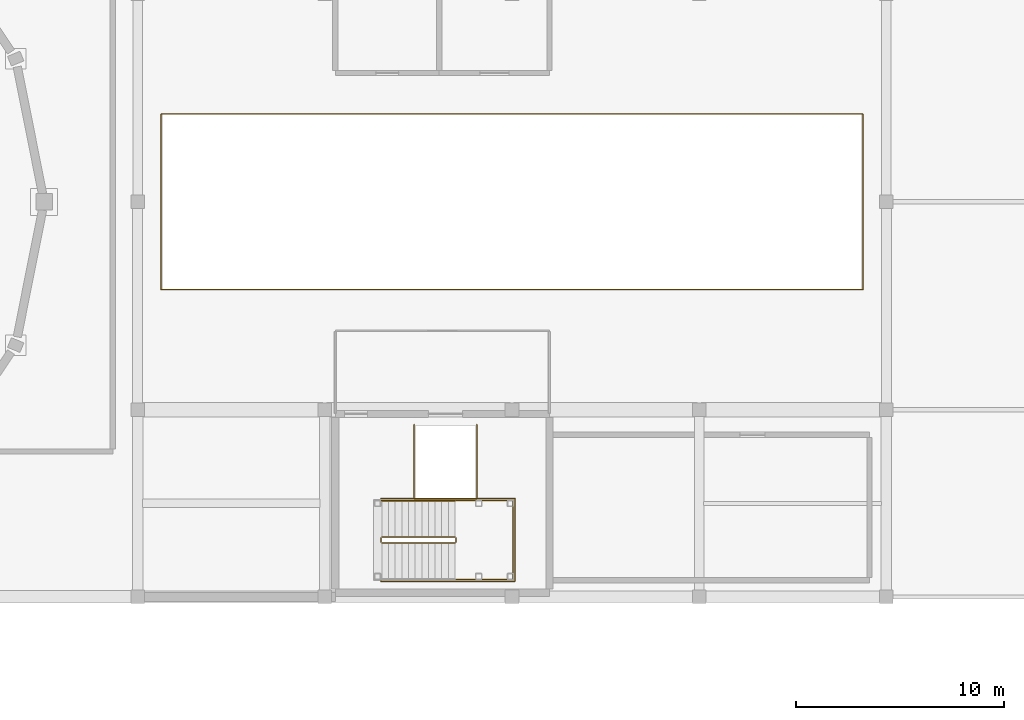
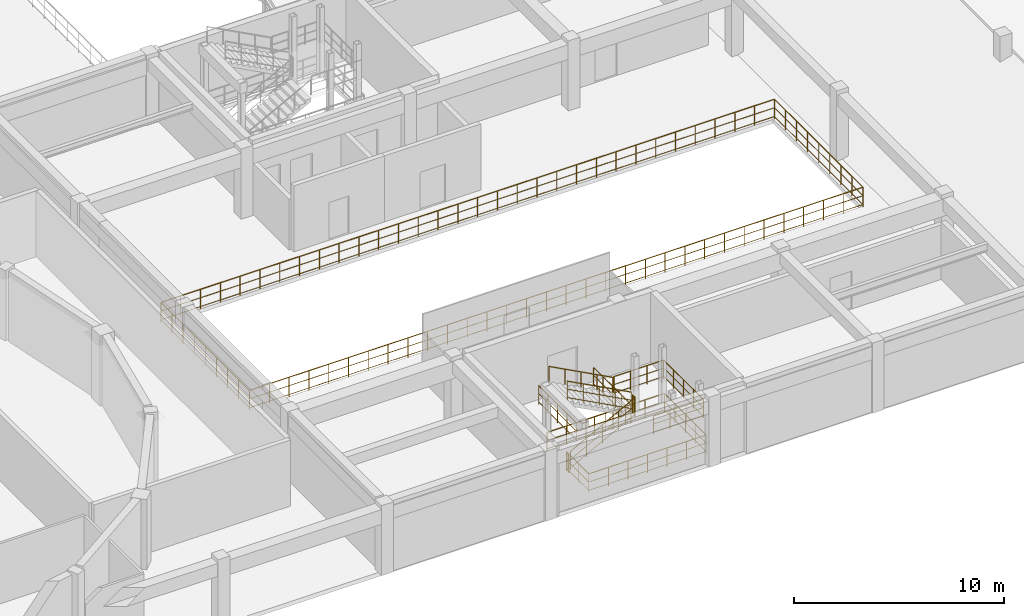
# One storey, part 77 of 80: 9 railings.
"""IFC4 building model written with IfcOpenShell, lengths in metres."""

from ifc_helpers import new_model, si_unit, direction, frame, origin, origin_2d, place, context, subcontext, project, spatial, circle, extrude, material, type_object, element, save


model = new_model("IFC4")

# Units and contexts
model_context = context("Model", 3, precision=1e-05, world=origin(), true_north=direction((0.0, 1.0)))
body_context = subcontext(model_context, "Body", "Model", "MODEL_VIEW")
ifc_project = project(units=[si_unit("LENGTHUNIT", "METRE"), si_unit("AREAUNIT", "SQUARE_METRE"), si_unit("VOLUMEUNIT", "CUBIC_METRE"), si_unit("PLANEANGLEUNIT", "RADIAN"), si_unit("MASSUNIT", "GRAM", prefix="KILO")], contexts=[model_context])

# Site, building, storey
site_placement = place(None, origin())
site = spatial("IfcSite", under=ifc_project, at=site_placement, CompositionType="ELEMENT")
building_placement = place(site_placement, origin())
building = spatial("IfcBuilding", under=site, at=building_placement, Name="Miravela Opera House", CompositionType="ELEMENT")
storey_placement = place(building_placement, frame((0.0, 0.0, 17.679931640625)))
storey = spatial("IfcBuildingStorey", under=building, at=storey_placement, Name="L04", CompositionType="ELEMENT", Elevation=17.679931640625)

# Railings
ifc_material_1 = material(Name="Brushed bronze continuous stair handrail")
railing_type_1 = type_object("IfcRailingType", Name="ARC-RAIL-HAND-900", PredefinedType="HANDRAIL", material=ifc_material_1)
railing_1_placement = place(storey_placement, frame((114.260009765625, 41.6298828125, 2.2099609375)))
element("IfcRailing", 1, at=railing_1_placement, inside=storey, type_object=railing_type_1, Name="L04 ST-04 stair handrail 2", PredefinedType="HANDRAIL", context=body_context, shape_type="SweptSolid", body=[
    extrude(circle(Radius=0.02392578125, at=origin_2d()), frame((0.0, 0.0, 0.8759765625), z_axis=(-0.883104616746, 0.0, 0.469176124586), x_axis=(0.0, -1.0, 0.0)), (0.0, 0.0, 1.0), 3.98583984375),
    extrude(circle(Radius=0.02099609375, at=origin_2d()), origin(), (0.0, 0.0, 1.0), 0.851806640625),
    extrude(circle(Radius=0.02099609375, at=origin_2d()), frame((-0.8798828125, 0.0, 0.467529296875)), (0.0, 0.0, 1.0), 0.851806640625),
    extrude(circle(Radius=0.02099609375, at=origin_2d()), frame((-1.760009765625, 0.0, 0.93505859375)), (0.0, 0.0, 1.0), 0.851806640625),
    extrude(circle(Radius=0.02099609375, at=origin_2d()), frame((-2.64013671875, 0.0, 1.402587890625)), (0.0, 0.0, 1.0), 0.851806640625),
    extrude(circle(Radius=0.02099609375, at=origin_2d()), frame((-3.52001953125, 0.0, 1.8701171875)), (0.0, 0.0, 1.0), 0.851806640625),
])
ifc_material_2 = material(Name="Galvanised steel fly-gallery safety guardrail", Category="steel")
railing_type_2 = type_object("IfcRailingType", Name="ARC-RAIL-STAGE-GUARD", PredefinedType="GUARDRAIL", material=ifc_material_2)
railing_2_placement = place(storey_placement, frame((100.122314453125, 51.780517578125, 0.0)))
element("IfcRailing", 2, at=railing_2_placement, inside=storey, type_object=railing_type_2, Name="L04 Void Perimeter Balustrade 0169", PredefinedType="GUARDRAIL", context=body_context, shape_type="SweptSolid", body=[
    extrude(circle(Radius=0.02392578125, at=origin_2d()), frame((0.0, 0.0, 1.1259765625), z_axis=(1.0, 0.0, 0.0), x_axis=(0.0, 1.0, 0.0)), (0.0, 0.0, 1.0), 33.75537109375),
    extrude(circle(Radius=0.01611328125, at=origin_2d()), frame((0.0, 0.0, 0.63232421875), z_axis=(1.0, 0.0, 0.0), x_axis=(0.0, 1.0, 0.0)), (0.0, 0.0, 1.0), 33.75537109375),
    extrude(circle(Radius=0.01611328125, at=origin_2d()), frame((0.0, 0.0, 0.1201171875), z_axis=(1.0, 0.0, 0.0), x_axis=(0.0, 1.0, 0.0)), (0.0, 0.0, 1.0), 33.75537109375),
    extrude(circle(Radius=0.02392578125, at=origin_2d()), frame((33.75537109375, 0.0, 1.1259765625), z_axis=(0.0, 1.0, 0.0), x_axis=(-1.0, 0.0, 0.0)), (0.0, 0.0, 1.0), 8.43896484375),
    extrude(circle(Radius=0.01611328125, at=origin_2d()), frame((33.75537109375, 0.0, 0.63232421875), z_axis=(0.0, 1.0, 0.0), x_axis=(-1.0, 0.0, 0.0)), (0.0, 0.0, 1.0), 8.43896484375),
    extrude(circle(Radius=0.01611328125, at=origin_2d()), frame((33.75537109375, 0.0, 0.1201171875), z_axis=(0.0, 1.0, 0.0), x_axis=(-1.0, 0.0, 0.0)), (0.0, 0.0, 1.0), 8.43896484375),
    extrude(circle(Radius=0.02392578125, at=origin_2d()), frame((33.75537109375, 8.43896484375, 1.1259765625), z_axis=(-1.0, 0.0, 0.0), x_axis=(0.0, -1.0, 0.0)), (0.0, 0.0, 1.0), 33.75537109375),
    extrude(circle(Radius=0.01611328125, at=origin_2d()), frame((33.75537109375, 8.43896484375, 0.63232421875), z_axis=(-1.0, 0.0, 0.0), x_axis=(0.0, -1.0, 0.0)), (0.0, 0.0, 1.0), 33.75537109375),
    extrude(circle(Radius=0.01611328125, at=origin_2d()), frame((33.75537109375, 8.43896484375, 0.1201171875), z_axis=(-1.0, 0.0, 0.0), x_axis=(0.0, -1.0, 0.0)), (0.0, 0.0, 1.0), 33.75537109375),
    extrude(circle(Radius=0.02392578125, at=origin_2d()), frame((0.0, 8.43896484375, 1.1259765625), z_axis=(0.0, -1.0, 0.0), x_axis=(1.0, 0.0, 0.0)), (0.0, 0.0, 1.0), 8.43896484375),
    extrude(circle(Radius=0.01611328125, at=origin_2d()), frame((0.0, 8.43896484375, 0.63232421875), z_axis=(0.0, -1.0, 0.0), x_axis=(1.0, 0.0, 0.0)), (0.0, 0.0, 1.0), 8.43896484375),
    extrude(circle(Radius=0.01611328125, at=origin_2d()), frame((0.0, 8.43896484375, 0.1201171875), z_axis=(0.0, -1.0, 0.0), x_axis=(1.0, 0.0, 0.0)), (0.0, 0.0, 1.0), 8.43896484375),
    extrude(circle(Radius=0.02099609375, at=origin_2d()), origin(), (0.0, 0.0, 1.0), 1.101806640625),
    extrude(circle(Radius=0.02099609375, at=origin_2d()), frame((1.0888671875, 0.0, 0.0)), (0.0, 0.0, 1.0), 1.101806640625),
    extrude(circle(Radius=0.02099609375, at=origin_2d()), frame((2.177734375, 0.0, 0.0)), (0.0, 0.0, 1.0), 1.101806640625),
    extrude(circle(Radius=0.02099609375, at=origin_2d()), frame((3.2666015625, 0.0, 0.0)), (0.0, 0.0, 1.0), 1.101806640625),
    extrude(circle(Radius=0.02099609375, at=origin_2d()), frame((4.35546875, 0.0, 0.0)), (0.0, 0.0, 1.0), 1.101806640625),
    extrude(circle(Radius=0.02099609375, at=origin_2d()), frame((5.4443359375, 0.0, 0.0)), (0.0, 0.0, 1.0), 1.101806640625),
    extrude(circle(Radius=0.02099609375, at=origin_2d()), frame((6.533203125, 0.0, 0.0)), (0.0, 0.0, 1.0), 1.101806640625),
    extrude(circle(Radius=0.02099609375, at=origin_2d()), frame((7.6220703125, 0.0, 0.0)), (0.0, 0.0, 1.0), 1.101806640625),
    extrude(circle(Radius=0.02099609375, at=origin_2d()), frame((8.711181640625, 0.0, 0.0)), (0.0, 0.0, 1.0), 1.101806640625),
    extrude(circle(Radius=0.02099609375, at=origin_2d()), frame((9.800048828125, 0.0, 0.0)), (0.0, 0.0, 1.0), 1.101806640625),
    extrude(circle(Radius=0.02099609375, at=origin_2d()), frame((10.888916015625, 0.0, 0.0)), (0.0, 0.0, 1.0), 1.101806640625),
    extrude(circle(Radius=0.02099609375, at=origin_2d()), frame((11.977783203125, 0.0, 0.0)), (0.0, 0.0, 1.0), 1.101806640625),
    extrude(circle(Radius=0.02099609375, at=origin_2d()), frame((13.066650390625, 0.0, 0.0)), (0.0, 0.0, 1.0), 1.101806640625),
    extrude(circle(Radius=0.02099609375, at=origin_2d()), frame((14.155517578125, 0.0, 0.0)), (0.0, 0.0, 1.0), 1.101806640625),
    extrude(circle(Radius=0.02099609375, at=origin_2d()), frame((15.244384765625, 0.0, 0.0)), (0.0, 0.0, 1.0), 1.101806640625),
    extrude(circle(Radius=0.02099609375, at=origin_2d()), frame((16.333251953125, 0.0, 0.0)), (0.0, 0.0, 1.0), 1.101806640625),
    extrude(circle(Radius=0.02099609375, at=origin_2d()), frame((17.422119140625, 0.0, 0.0)), (0.0, 0.0, 1.0), 1.101806640625),
    extrude(circle(Radius=0.02099609375, at=origin_2d()), frame((18.510986328125, 0.0, 0.0)), (0.0, 0.0, 1.0), 1.101806640625),
    extrude(circle(Radius=0.02099609375, at=origin_2d()), frame((19.599853515625, 0.0, 0.0)), (0.0, 0.0, 1.0), 1.101806640625),
    extrude(circle(Radius=0.02099609375, at=origin_2d()), frame((20.688720703125, 0.0, 0.0)), (0.0, 0.0, 1.0), 1.101806640625),
    extrude(circle(Radius=0.02099609375, at=origin_2d()), frame((21.777587890625, 0.0, 0.0)), (0.0, 0.0, 1.0), 1.101806640625),
    extrude(circle(Radius=0.02099609375, at=origin_2d()), frame((22.866455078125, 0.0, 0.0)), (0.0, 0.0, 1.0), 1.101806640625),
    extrude(circle(Radius=0.02099609375, at=origin_2d()), frame((23.955322265625, 0.0, 0.0)), (0.0, 0.0, 1.0), 1.101806640625),
    extrude(circle(Radius=0.02099609375, at=origin_2d()), frame((25.044189453125, 0.0, 0.0)), (0.0, 0.0, 1.0), 1.101806640625),
    extrude(circle(Radius=0.02099609375, at=origin_2d()), frame((26.13330078125, 0.0, 0.0)), (0.0, 0.0, 1.0), 1.101806640625),
    extrude(circle(Radius=0.02099609375, at=origin_2d()), frame((27.22216796875, 0.0, 0.0)), (0.0, 0.0, 1.0), 1.101806640625),
    extrude(circle(Radius=0.02099609375, at=origin_2d()), frame((28.31103515625, 0.0, 0.0)), (0.0, 0.0, 1.0), 1.101806640625),
    extrude(circle(Radius=0.02099609375, at=origin_2d()), frame((29.39990234375, 0.0, 0.0)), (0.0, 0.0, 1.0), 1.101806640625),
    extrude(circle(Radius=0.02099609375, at=origin_2d()), frame((30.48876953125, 0.0, 0.0)), (0.0, 0.0, 1.0), 1.101806640625),
    extrude(circle(Radius=0.02099609375, at=origin_2d()), frame((31.57763671875, 0.0, 0.0)), (0.0, 0.0, 1.0), 1.101806640625),
    extrude(circle(Radius=0.02099609375, at=origin_2d()), frame((32.66650390625, 0.0, 0.0)), (0.0, 0.0, 1.0), 1.101806640625),
    extrude(circle(Radius=0.02099609375, at=origin_2d()), frame((33.75537109375, 0.0, 0.0)), (0.0, 0.0, 1.0), 1.101806640625),
    extrude(circle(Radius=0.02099609375, at=origin_2d()), frame((33.75537109375, 1.054931640625, 0.0)), (0.0, 0.0, 1.0), 1.101806640625),
    extrude(circle(Radius=0.02099609375, at=origin_2d()), frame((33.75537109375, 2.10986328125, 0.0)), (0.0, 0.0, 1.0), 1.101806640625),
    extrude(circle(Radius=0.02099609375, at=origin_2d()), frame((33.75537109375, 3.16455078125, 0.0)), (0.0, 0.0, 1.0), 1.101806640625),
    extrude(circle(Radius=0.02099609375, at=origin_2d()), frame((33.75537109375, 4.219482421875, 0.0)), (0.0, 0.0, 1.0), 1.101806640625),
    extrude(circle(Radius=0.02099609375, at=origin_2d()), frame((33.75537109375, 5.2744140625, 0.0)), (0.0, 0.0, 1.0), 1.101806640625),
    extrude(circle(Radius=0.02099609375, at=origin_2d()), frame((33.75537109375, 6.3291015625, 0.0)), (0.0, 0.0, 1.0), 1.101806640625),
    extrude(circle(Radius=0.02099609375, at=origin_2d()), frame((33.75537109375, 7.384033203125, 0.0)), (0.0, 0.0, 1.0), 1.101806640625),
    extrude(circle(Radius=0.02099609375, at=origin_2d()), frame((33.75537109375, 8.43896484375, 0.0)), (0.0, 0.0, 1.0), 1.101806640625),
    extrude(circle(Radius=0.02099609375, at=origin_2d()), frame((32.66650390625, 8.43896484375, 0.0)), (0.0, 0.0, 1.0), 1.101806640625),
    extrude(circle(Radius=0.02099609375, at=origin_2d()), frame((31.57763671875, 8.43896484375, 0.0)), (0.0, 0.0, 1.0), 1.101806640625),
    extrude(circle(Radius=0.02099609375, at=origin_2d()), frame((30.48876953125, 8.43896484375, 0.0)), (0.0, 0.0, 1.0), 1.101806640625),
    extrude(circle(Radius=0.02099609375, at=origin_2d()), frame((29.39990234375, 8.43896484375, 0.0)), (0.0, 0.0, 1.0), 1.101806640625),
    extrude(circle(Radius=0.02099609375, at=origin_2d()), frame((28.31103515625, 8.43896484375, 0.0)), (0.0, 0.0, 1.0), 1.101806640625),
    extrude(circle(Radius=0.02099609375, at=origin_2d()), frame((27.22216796875, 8.43896484375, 0.0)), (0.0, 0.0, 1.0), 1.101806640625),
    extrude(circle(Radius=0.02099609375, at=origin_2d()), frame((26.13330078125, 8.43896484375, 0.0)), (0.0, 0.0, 1.0), 1.101806640625),
    extrude(circle(Radius=0.02099609375, at=origin_2d()), frame((25.044189453125, 8.43896484375, 0.0)), (0.0, 0.0, 1.0), 1.101806640625),
    extrude(circle(Radius=0.02099609375, at=origin_2d()), frame((23.955322265625, 8.43896484375, 0.0)), (0.0, 0.0, 1.0), 1.101806640625),
    extrude(circle(Radius=0.02099609375, at=origin_2d()), frame((22.866455078125, 8.43896484375, 0.0)), (0.0, 0.0, 1.0), 1.101806640625),
    extrude(circle(Radius=0.02099609375, at=origin_2d()), frame((21.777587890625, 8.43896484375, 0.0)), (0.0, 0.0, 1.0), 1.101806640625),
    extrude(circle(Radius=0.02099609375, at=origin_2d()), frame((20.688720703125, 8.43896484375, 0.0)), (0.0, 0.0, 1.0), 1.101806640625),
    extrude(circle(Radius=0.02099609375, at=origin_2d()), frame((19.599853515625, 8.43896484375, 0.0)), (0.0, 0.0, 1.0), 1.101806640625),
    extrude(circle(Radius=0.02099609375, at=origin_2d()), frame((18.510986328125, 8.43896484375, 0.0)), (0.0, 0.0, 1.0), 1.101806640625),
    extrude(circle(Radius=0.02099609375, at=origin_2d()), frame((17.422119140625, 8.43896484375, 0.0)), (0.0, 0.0, 1.0), 1.101806640625),
    extrude(circle(Radius=0.02099609375, at=origin_2d()), frame((16.333251953125, 8.43896484375, 0.0)), (0.0, 0.0, 1.0), 1.101806640625),
    extrude(circle(Radius=0.02099609375, at=origin_2d()), frame((15.244384765625, 8.43896484375, 0.0)), (0.0, 0.0, 1.0), 1.101806640625),
    extrude(circle(Radius=0.02099609375, at=origin_2d()), frame((14.155517578125, 8.43896484375, 0.0)), (0.0, 0.0, 1.0), 1.101806640625),
    extrude(circle(Radius=0.02099609375, at=origin_2d()), frame((13.066650390625, 8.43896484375, 0.0)), (0.0, 0.0, 1.0), 1.101806640625),
    extrude(circle(Radius=0.02099609375, at=origin_2d()), frame((11.977783203125, 8.43896484375, 0.0)), (0.0, 0.0, 1.0), 1.101806640625),
    extrude(circle(Radius=0.02099609375, at=origin_2d()), frame((10.888916015625, 8.43896484375, 0.0)), (0.0, 0.0, 1.0), 1.101806640625),
    extrude(circle(Radius=0.02099609375, at=origin_2d()), frame((9.800048828125, 8.43896484375, 0.0)), (0.0, 0.0, 1.0), 1.101806640625),
    extrude(circle(Radius=0.02099609375, at=origin_2d()), frame((8.711181640625, 8.43896484375, 0.0)), (0.0, 0.0, 1.0), 1.101806640625),
    extrude(circle(Radius=0.02099609375, at=origin_2d()), frame((7.6220703125, 8.43896484375, 0.0)), (0.0, 0.0, 1.0), 1.101806640625),
    extrude(circle(Radius=0.02099609375, at=origin_2d()), frame((6.533203125, 8.43896484375, 0.0)), (0.0, 0.0, 1.0), 1.101806640625),
    extrude(circle(Radius=0.02099609375, at=origin_2d()), frame((5.4443359375, 8.43896484375, 0.0)), (0.0, 0.0, 1.0), 1.101806640625),
    extrude(circle(Radius=0.02099609375, at=origin_2d()), frame((4.35546875, 8.43896484375, 0.0)), (0.0, 0.0, 1.0), 1.101806640625),
    extrude(circle(Radius=0.02099609375, at=origin_2d()), frame((3.2666015625, 8.43896484375, 0.0)), (0.0, 0.0, 1.0), 1.101806640625),
    extrude(circle(Radius=0.02099609375, at=origin_2d()), frame((2.177734375, 8.43896484375, 0.0)), (0.0, 0.0, 1.0), 1.101806640625),
    extrude(circle(Radius=0.02099609375, at=origin_2d()), frame((1.0888671875, 8.43896484375, 0.0)), (0.0, 0.0, 1.0), 1.101806640625),
    extrude(circle(Radius=0.02099609375, at=origin_2d()), frame((0.0, 8.43896484375, 0.0)), (0.0, 0.0, 1.0), 1.101806640625),
    extrude(circle(Radius=0.02099609375, at=origin_2d()), frame((0.0, 7.384033203125, 0.0)), (0.0, 0.0, 1.0), 1.101806640625),
    extrude(circle(Radius=0.02099609375, at=origin_2d()), frame((0.0, 6.3291015625, 0.0)), (0.0, 0.0, 1.0), 1.101806640625),
    extrude(circle(Radius=0.02099609375, at=origin_2d()), frame((0.0, 5.2744140625, 0.0)), (0.0, 0.0, 1.0), 1.101806640625),
    extrude(circle(Radius=0.02099609375, at=origin_2d()), frame((0.0, 4.219482421875, 0.0)), (0.0, 0.0, 1.0), 1.101806640625),
    extrude(circle(Radius=0.02099609375, at=origin_2d()), frame((0.0, 3.16455078125, 0.0)), (0.0, 0.0, 1.0), 1.101806640625),
    extrude(circle(Radius=0.02099609375, at=origin_2d()), frame((0.0, 2.10986328125, 0.0)), (0.0, 0.0, 1.0), 1.101806640625),
    extrude(circle(Radius=0.02099609375, at=origin_2d()), frame((0.0, 1.054931640625, 0.0)), (0.0, 0.0, 1.0), 1.101806640625),
])
ifc_material_3 = material(Name="Painted wrought-iron stair guardrail")
railing_type_3 = type_object("IfcRailingType", Name="ARC-RAIL-STAIR-GUARD", PredefinedType="GUARDRAIL", material=ifc_material_3)
railing_3_placement = place(storey_placement, frame((110.739990234375, 39.590087890625, 0.170166015625)))
element("IfcRailing", 3, at=railing_3_placement, inside=storey, type_object=railing_type_3, Name="L04 ST-04 stair guard 1", PredefinedType="GUARDRAIL", context=body_context, shape_type="SweptSolid", body=[
    extrude(circle(Radius=0.02392578125, at=origin_2d()), frame((0.0, 0.0, 1.076171875), z_axis=(0.883129994055, 0.0, 0.469128355144), x_axis=(0.0, 1.0, 0.0)), (0.0, 0.0, 1.0), 3.98583984375),
    extrude(circle(Radius=0.01611328125, at=origin_2d()), frame((0.0, 0.0, 0.60498046875), z_axis=(0.883129994055, 0.0, 0.469128355144), x_axis=(0.0, 1.0, 0.0)), (0.0, 0.0, 1.0), 3.98583984375),
    extrude(circle(Radius=0.01611328125, at=origin_2d()), frame((0.0, 0.0, 0.1201171875), z_axis=(0.883129994055, 0.0, 0.469128355144), x_axis=(0.0, 1.0, 0.0)), (0.0, 0.0, 1.0), 3.98583984375),
    extrude(circle(Radius=0.02099609375, at=origin_2d()), origin(), (0.0, 0.0, 1.0), 1.052001953125),
    extrude(circle(Radius=0.02099609375, at=origin_2d()), frame((0.8798828125, 0.0, 0.467529296875)), (0.0, 0.0, 1.0), 1.052001953125),
    extrude(circle(Radius=0.02099609375, at=origin_2d()), frame((1.760009765625, 0.0, 0.93505859375)), (0.0, 0.0, 1.0), 1.052001953125),
    extrude(circle(Radius=0.02099609375, at=origin_2d()), frame((2.64013671875, 0.0, 1.40234375)), (0.0, 0.0, 1.0), 1.052001953125),
    extrude(circle(Radius=0.02099609375, at=origin_2d()), frame((3.52001953125, 0.0, 1.869873046875)), (0.0, 0.0, 1.0), 1.052001953125),
])
railing_4_placement = place(storey_placement, frame((114.31005859375, 39.639892578125, 2.0400390625)))
element("IfcRailing", 4, at=railing_4_placement, inside=storey, type_object=railing_type_3, Name="L04 ST-04 stair guard 2", PredefinedType="GUARDRAIL", context=body_context, shape_type="SweptSolid", body=[
    extrude(circle(Radius=0.02392578125, at=origin_2d()), frame((0.0, 0.0, 1.076171875), z_axis=(0.0, 1.0, 0.0), x_axis=(-1.0, 0.0, 0.0)), (0.0, 0.0, 1.0), 0.2001953125),
    extrude(circle(Radius=0.01611328125, at=origin_2d()), frame((0.0, 0.0, 0.60498046875), z_axis=(0.0, 1.0, 0.0), x_axis=(-1.0, 0.0, 0.0)), (0.0, 0.0, 1.0), 0.2001953125),
    extrude(circle(Radius=0.01611328125, at=origin_2d()), frame((0.0, 0.0, 0.1201171875), z_axis=(0.0, 1.0, 0.0), x_axis=(-1.0, 0.0, 0.0)), (0.0, 0.0, 1.0), 0.2001953125),
    extrude(circle(Radius=0.02099609375, at=origin_2d()), origin(), (0.0, 0.0, 1.0), 1.052001953125),
    extrude(circle(Radius=0.02099609375, at=origin_2d()), frame((0.0, 0.2001953125, 0.0)), (0.0, 0.0, 1.0), 1.052001953125),
])
railing_5_placement = place(storey_placement, frame((114.260009765625, 39.889892578125, 2.2099609375)))
element("IfcRailing", 5, at=railing_5_placement, inside=storey, type_object=railing_type_3, Name="L04 ST-04 stair guard 3", PredefinedType="GUARDRAIL", context=body_context, shape_type="SweptSolid", body=[
    extrude(circle(Radius=0.02392578125, at=origin_2d()), frame((0.0, 0.0, 1.076171875), z_axis=(-0.883104616746, 0.0, 0.469176124586), x_axis=(0.0, -1.0, 0.0)), (0.0, 0.0, 1.0), 3.98583984375),
    extrude(circle(Radius=0.01611328125, at=origin_2d()), frame((0.0, 0.0, 0.60498046875), z_axis=(-0.883104616746, 0.0, 0.469176124586), x_axis=(0.0, -1.0, 0.0)), (0.0, 0.0, 1.0), 3.98583984375),
    extrude(circle(Radius=0.01611328125, at=origin_2d()), frame((0.0, 0.0, 0.1201171875), z_axis=(-0.883104616746, 0.0, 0.469176124586), x_axis=(0.0, -1.0, 0.0)), (0.0, 0.0, 1.0), 3.98583984375),
    extrude(circle(Radius=0.02099609375, at=origin_2d()), origin(), (0.0, 0.0, 1.0), 1.052001953125),
    extrude(circle(Radius=0.02099609375, at=origin_2d()), frame((-0.8798828125, 0.0, 0.467529296875)), (0.0, 0.0, 1.0), 1.052001953125),
    extrude(circle(Radius=0.02099609375, at=origin_2d()), frame((-1.760009765625, 0.0, 0.93505859375)), (0.0, 0.0, 1.0), 1.052001953125),
    extrude(circle(Radius=0.02099609375, at=origin_2d()), frame((-2.64013671875, 0.0, 1.402587890625)), (0.0, 0.0, 1.0), 1.052001953125),
    extrude(circle(Radius=0.02099609375, at=origin_2d()), frame((-3.52001953125, 0.0, 1.8701171875)), (0.0, 0.0, 1.0), 1.052001953125),
])
railing_6_placement = place(storey_placement, frame((110.68994140625, 39.639892578125, 0.0)))
element("IfcRailing", 6, at=railing_6_placement, inside=storey, type_object=railing_type_3, Name="L04 ST-04 stair guard 4", PredefinedType="GUARDRAIL", context=body_context, shape_type="SweptSolid", body=[
    extrude(circle(Radius=0.02392578125, at=origin_2d()), frame((0.0, 0.0, 1.076171875), z_axis=(0.0, 1.0, 0.0), x_axis=(-1.0, 0.0, 0.0)), (0.0, 0.0, 1.0), 0.2001953125),
    extrude(circle(Radius=0.01611328125, at=origin_2d()), frame((0.0, 0.0, 0.60498046875), z_axis=(0.0, 1.0, 0.0), x_axis=(-1.0, 0.0, 0.0)), (0.0, 0.0, 1.0), 0.2001953125),
    extrude(circle(Radius=0.01611328125, at=origin_2d()), frame((0.0, 0.0, 0.1201171875), z_axis=(0.0, 1.0, 0.0), x_axis=(-1.0, 0.0, 0.0)), (0.0, 0.0, 1.0), 0.2001953125),
    extrude(circle(Radius=0.02099609375, at=origin_2d()), origin(), (0.0, 0.0, 1.0), 1.052001953125),
    extrude(circle(Radius=0.02099609375, at=origin_2d()), frame((0.0, 0.2001953125, 0.0)), (0.0, 0.0, 1.0), 1.052001953125),
])
railing_7_placement = place(storey_placement, frame((114.31005859375, 37.85009765625, 2.0400390625)))
element("IfcRailing", 7, at=railing_7_placement, inside=storey, type_object=railing_type_3, Name="Stair ST-04 Half-Landing Perimeter Guard (L04) 0042", PredefinedType="GUARDRAIL", context=body_context, shape_type="SweptSolid", body=[
    extrude(circle(Radius=0.02392578125, at=origin_2d()), frame((0.0, 0.0, 1.076171875), z_axis=(1.0, 0.0, 0.0), x_axis=(0.0, 1.0, 0.0)), (0.0, 0.0, 1.0), 2.739990234375),
    extrude(circle(Radius=0.01611328125, at=origin_2d()), frame((0.0, 0.0, 0.60498046875), z_axis=(1.0, 0.0, 0.0), x_axis=(0.0, 1.0, 0.0)), (0.0, 0.0, 1.0), 2.739990234375),
    extrude(circle(Radius=0.01611328125, at=origin_2d()), frame((0.0, 0.0, 0.1201171875), z_axis=(1.0, 0.0, 0.0), x_axis=(0.0, 1.0, 0.0)), (0.0, 0.0, 1.0), 2.739990234375),
    extrude(circle(Radius=0.02392578125, at=origin_2d()), frame((2.739990234375, 0.0, 1.076171875), z_axis=(0.0, 1.0, 0.0), x_axis=(-1.0, 0.0, 0.0)), (0.0, 0.0, 1.0), 3.77978515625),
    extrude(circle(Radius=0.01611328125, at=origin_2d()), frame((2.739990234375, 0.0, 0.60498046875), z_axis=(0.0, 1.0, 0.0), x_axis=(-1.0, 0.0, 0.0)), (0.0, 0.0, 1.0), 3.77978515625),
    extrude(circle(Radius=0.01611328125, at=origin_2d()), frame((2.739990234375, 0.0, 0.1201171875), z_axis=(0.0, 1.0, 0.0), x_axis=(-1.0, 0.0, 0.0)), (0.0, 0.0, 1.0), 3.77978515625),
    extrude(circle(Radius=0.02392578125, at=origin_2d()), frame((2.739990234375, 3.77978515625, 1.076171875), z_axis=(-1.0, 0.0, 0.0), x_axis=(0.0, -1.0, 0.0)), (0.0, 0.0, 1.0), 2.739990234375),
    extrude(circle(Radius=0.01611328125, at=origin_2d()), frame((2.739990234375, 3.77978515625, 0.60498046875), z_axis=(-1.0, 0.0, 0.0), x_axis=(0.0, -1.0, 0.0)), (0.0, 0.0, 1.0), 2.739990234375),
    extrude(circle(Radius=0.01611328125, at=origin_2d()), frame((2.739990234375, 3.77978515625, 0.1201171875), z_axis=(-1.0, 0.0, 0.0), x_axis=(0.0, -1.0, 0.0)), (0.0, 0.0, 1.0), 2.739990234375),
    extrude(circle(Radius=0.02099609375, at=origin_2d()), origin(), (0.0, 0.0, 1.0), 1.052001953125),
    extrude(circle(Radius=0.02099609375, at=origin_2d()), frame((0.913330078125, 0.0, 0.0)), (0.0, 0.0, 1.0), 1.052001953125),
    extrude(circle(Radius=0.02099609375, at=origin_2d()), frame((1.82666015625, 0.0, 0.0)), (0.0, 0.0, 1.0), 1.052001953125),
    extrude(circle(Radius=0.02099609375, at=origin_2d()), frame((2.739990234375, 0.0, 0.0)), (0.0, 0.0, 1.0), 1.052001953125),
    extrude(circle(Radius=0.02099609375, at=origin_2d()), frame((2.739990234375, 0.94482421875, 0.0)), (0.0, 0.0, 1.0), 1.052001953125),
    extrude(circle(Radius=0.02099609375, at=origin_2d()), frame((2.739990234375, 1.889892578125, 0.0)), (0.0, 0.0, 1.0), 1.052001953125),
    extrude(circle(Radius=0.02099609375, at=origin_2d()), frame((2.739990234375, 2.8349609375, 0.0)), (0.0, 0.0, 1.0), 1.052001953125),
    extrude(circle(Radius=0.02099609375, at=origin_2d()), frame((2.739990234375, 3.77978515625, 0.0)), (0.0, 0.0, 1.0), 1.052001953125),
    extrude(circle(Radius=0.02099609375, at=origin_2d()), frame((1.82666015625, 3.77978515625, 0.0)), (0.0, 0.0, 1.0), 1.052001953125),
    extrude(circle(Radius=0.02099609375, at=origin_2d()), frame((0.913330078125, 3.77978515625, 0.0)), (0.0, 0.0, 1.0), 1.052001953125),
    extrude(circle(Radius=0.02099609375, at=origin_2d()), frame((0.0, 3.77978515625, 0.0)), (0.0, 0.0, 1.0), 1.052001953125),
])
railing_8_placement = place(storey_placement, frame((110.68994140625, 39.669921875, 0.0)))
element("IfcRailing", 8, at=railing_8_placement, inside=storey, type_object=railing_type_3, Name="Stair ST-04 Well Slab Opening Guard (L04) 0047", PredefinedType="GUARDRAIL", context=body_context, shape_type="SweptSolid", body=[
    extrude(circle(Radius=0.02392578125, at=origin_2d()), frame((0.0, 0.0, 1.076171875), z_axis=(0.0, -1.0, 0.0), x_axis=(1.0, 0.0, 0.0)), (0.0, 0.0, 1.0), 1.919921875),
    extrude(circle(Radius=0.01611328125, at=origin_2d()), frame((0.0, 0.0, 0.60498046875), z_axis=(0.0, -1.0, 0.0), x_axis=(1.0, 0.0, 0.0)), (0.0, 0.0, 1.0), 1.919921875),
    extrude(circle(Radius=0.01611328125, at=origin_2d()), frame((0.0, 0.0, 0.1201171875), z_axis=(0.0, -1.0, 0.0), x_axis=(1.0, 0.0, 0.0)), (0.0, 0.0, 1.0), 1.919921875),
    extrude(circle(Radius=0.02392578125, at=origin_2d()), frame((0.0, -1.919921875, 1.076171875), z_axis=(1.0, 0.0, 0.0), x_axis=(0.0, 1.0, 0.0)), (0.0, 0.0, 1.0), 6.4599609375),
    extrude(circle(Radius=0.01611328125, at=origin_2d()), frame((0.0, -1.919921875, 0.60498046875), z_axis=(1.0, 0.0, 0.0), x_axis=(0.0, 1.0, 0.0)), (0.0, 0.0, 1.0), 6.4599609375),
    extrude(circle(Radius=0.01611328125, at=origin_2d()), frame((0.0, -1.919921875, 0.1201171875), z_axis=(1.0, 0.0, 0.0), x_axis=(0.0, 1.0, 0.0)), (0.0, 0.0, 1.0), 6.4599609375),
    extrude(circle(Radius=0.02392578125, at=origin_2d()), frame((6.4599609375, -1.919921875, 1.076171875), z_axis=(0.0, 1.0, 0.0), x_axis=(-1.0, 0.0, 0.0)), (0.0, 0.0, 1.0), 3.97998046875),
    extrude(circle(Radius=0.01611328125, at=origin_2d()), frame((6.4599609375, -1.919921875, 0.60498046875), z_axis=(0.0, 1.0, 0.0), x_axis=(-1.0, 0.0, 0.0)), (0.0, 0.0, 1.0), 3.97998046875),
    extrude(circle(Radius=0.01611328125, at=origin_2d()), frame((6.4599609375, -1.919921875, 0.1201171875), z_axis=(0.0, 1.0, 0.0), x_axis=(-1.0, 0.0, 0.0)), (0.0, 0.0, 1.0), 3.97998046875),
    extrude(circle(Radius=0.02392578125, at=origin_2d()), frame((6.4599609375, 2.06005859375, 1.076171875), z_axis=(-1.0, 0.0, 0.0), x_axis=(0.0, -1.0, 0.0)), (0.0, 0.0, 1.0), 6.4599609375),
    extrude(circle(Radius=0.01611328125, at=origin_2d()), frame((6.4599609375, 2.06005859375, 0.60498046875), z_axis=(-1.0, 0.0, 0.0), x_axis=(0.0, -1.0, 0.0)), (0.0, 0.0, 1.0), 6.4599609375),
    extrude(circle(Radius=0.01611328125, at=origin_2d()), frame((6.4599609375, 2.06005859375, 0.1201171875), z_axis=(-1.0, 0.0, 0.0), x_axis=(0.0, -1.0, 0.0)), (0.0, 0.0, 1.0), 6.4599609375),
    extrude(circle(Radius=0.02099609375, at=origin_2d()), origin(), (0.0, 0.0, 1.0), 1.052001953125),
    extrude(circle(Radius=0.02099609375, at=origin_2d()), frame((0.0, -0.9599609375, 0.0)), (0.0, 0.0, 1.0), 1.052001953125),
    extrude(circle(Radius=0.02099609375, at=origin_2d()), frame((0.0, -1.919921875, 0.0)), (0.0, 0.0, 1.0), 1.052001953125),
    extrude(circle(Radius=0.02099609375, at=origin_2d()), frame((1.07666015625, -1.919921875, 0.0)), (0.0, 0.0, 1.0), 1.052001953125),
    extrude(circle(Radius=0.02099609375, at=origin_2d()), frame((2.1533203125, -1.919921875, 0.0)), (0.0, 0.0, 1.0), 1.052001953125),
    extrude(circle(Radius=0.02099609375, at=origin_2d()), frame((3.22998046875, -1.919921875, 0.0)), (0.0, 0.0, 1.0), 1.052001953125),
    extrude(circle(Radius=0.02099609375, at=origin_2d()), frame((4.306640625, -1.919921875, 0.0)), (0.0, 0.0, 1.0), 1.052001953125),
    extrude(circle(Radius=0.02099609375, at=origin_2d()), frame((5.38330078125, -1.919921875, 0.0)), (0.0, 0.0, 1.0), 1.052001953125),
    extrude(circle(Radius=0.02099609375, at=origin_2d()), frame((6.4599609375, -1.919921875, 0.0)), (0.0, 0.0, 1.0), 1.052001953125),
    extrude(circle(Radius=0.02099609375, at=origin_2d()), frame((6.4599609375, -0.9248046875, 0.0)), (0.0, 0.0, 1.0), 1.052001953125),
    extrude(circle(Radius=0.02099609375, at=origin_2d()), frame((6.4599609375, 0.070068359375, 0.0)), (0.0, 0.0, 1.0), 1.052001953125),
    extrude(circle(Radius=0.02099609375, at=origin_2d()), frame((6.4599609375, 1.06494140625, 0.0)), (0.0, 0.0, 1.0), 1.052001953125),
    extrude(circle(Radius=0.02099609375, at=origin_2d()), frame((6.4599609375, 2.06005859375, 0.0)), (0.0, 0.0, 1.0), 1.052001953125),
    extrude(circle(Radius=0.02099609375, at=origin_2d()), frame((5.38330078125, 2.06005859375, 0.0)), (0.0, 0.0, 1.0), 1.052001953125),
    extrude(circle(Radius=0.02099609375, at=origin_2d()), frame((4.306640625, 2.06005859375, 0.0)), (0.0, 0.0, 1.0), 1.052001953125),
    extrude(circle(Radius=0.02099609375, at=origin_2d()), frame((3.22998046875, 2.06005859375, 0.0)), (0.0, 0.0, 1.0), 1.052001953125),
    extrude(circle(Radius=0.02099609375, at=origin_2d()), frame((2.1533203125, 2.06005859375, 0.0)), (0.0, 0.0, 1.0), 1.052001953125),
    extrude(circle(Radius=0.02099609375, at=origin_2d()), frame((1.07666015625, 2.06005859375, 0.0)), (0.0, 0.0, 1.0), 1.052001953125),
    extrude(circle(Radius=0.02099609375, at=origin_2d()), frame((0.0, 2.06005859375, 0.0)), (0.0, 0.0, 1.0), 1.052001953125),
])
railing_9_placement = place(storey_placement, frame((112.2900390625, 45.2900390625, 0.0)))
element("IfcRailing", 9, at=railing_9_placement, inside=storey, type_object=railing_type_3, Name="Lift FL-02 Hoistway Slab Opening Guard (L04) 0133", PredefinedType="GUARDRAIL", context=body_context, shape_type="SweptSolid", body=[
    extrude(circle(Radius=0.02392578125, at=origin_2d()), frame((0.0, 0.0, 1.076171875), z_axis=(0.0, -1.0, 0.0), x_axis=(1.0, 0.0, 0.0)), (0.0, 0.0, 1.0), 3.574951171875),
    extrude(circle(Radius=0.01611328125, at=origin_2d()), frame((0.0, 0.0, 0.60498046875), z_axis=(0.0, -1.0, 0.0), x_axis=(1.0, 0.0, 0.0)), (0.0, 0.0, 1.0), 3.574951171875),
    extrude(circle(Radius=0.01611328125, at=origin_2d()), frame((0.0, 0.0, 0.1201171875), z_axis=(0.0, -1.0, 0.0), x_axis=(1.0, 0.0, 0.0)), (0.0, 0.0, 1.0), 3.574951171875),
    extrude(circle(Radius=0.02392578125, at=origin_2d()), frame((0.0, -3.574951171875, 1.076171875), z_axis=(1.0, 0.0, 0.0), x_axis=(0.0, 1.0, 0.0)), (0.0, 0.0, 1.0), 3.02001953125),
    extrude(circle(Radius=0.01611328125, at=origin_2d()), frame((0.0, -3.574951171875, 0.60498046875), z_axis=(1.0, 0.0, 0.0), x_axis=(0.0, 1.0, 0.0)), (0.0, 0.0, 1.0), 3.02001953125),
    extrude(circle(Radius=0.01611328125, at=origin_2d()), frame((0.0, -3.574951171875, 0.1201171875), z_axis=(1.0, 0.0, 0.0), x_axis=(0.0, 1.0, 0.0)), (0.0, 0.0, 1.0), 3.02001953125),
    extrude(circle(Radius=0.02392578125, at=origin_2d()), frame((3.02001953125, -3.574951171875, 1.076171875), z_axis=(0.0, 1.0, 0.0), x_axis=(-1.0, 0.0, 0.0)), (0.0, 0.0, 1.0), 3.574951171875),
    extrude(circle(Radius=0.01611328125, at=origin_2d()), frame((3.02001953125, -3.574951171875, 0.60498046875), z_axis=(0.0, 1.0, 0.0), x_axis=(-1.0, 0.0, 0.0)), (0.0, 0.0, 1.0), 3.574951171875),
    extrude(circle(Radius=0.01611328125, at=origin_2d()), frame((3.02001953125, -3.574951171875, 0.1201171875), z_axis=(0.0, 1.0, 0.0), x_axis=(-1.0, 0.0, 0.0)), (0.0, 0.0, 1.0), 3.574951171875),
    extrude(circle(Radius=0.02099609375, at=origin_2d()), origin(), (0.0, 0.0, 1.0), 1.052001953125),
    extrude(circle(Radius=0.02099609375, at=origin_2d()), frame((0.0, -0.893798828125, 0.0)), (0.0, 0.0, 1.0), 1.052001953125),
    extrude(circle(Radius=0.02099609375, at=origin_2d()), frame((0.0, -1.78759765625, 0.0)), (0.0, 0.0, 1.0), 1.052001953125),
    extrude(circle(Radius=0.02099609375, at=origin_2d()), frame((0.0, -2.68115234375, 0.0)), (0.0, 0.0, 1.0), 1.052001953125),
    extrude(circle(Radius=0.02099609375, at=origin_2d()), frame((0.0, -3.574951171875, 0.0)), (0.0, 0.0, 1.0), 1.052001953125),
    extrude(circle(Radius=0.02099609375, at=origin_2d()), frame((1.006591796875, -3.574951171875, 0.0)), (0.0, 0.0, 1.0), 1.052001953125),
    extrude(circle(Radius=0.02099609375, at=origin_2d()), frame((2.013427734375, -3.574951171875, 0.0)), (0.0, 0.0, 1.0), 1.052001953125),
    extrude(circle(Radius=0.02099609375, at=origin_2d()), frame((3.02001953125, -3.574951171875, 0.0)), (0.0, 0.0, 1.0), 1.052001953125),
    extrude(circle(Radius=0.02099609375, at=origin_2d()), frame((3.02001953125, -2.68115234375, 0.0)), (0.0, 0.0, 1.0), 1.052001953125),
    extrude(circle(Radius=0.02099609375, at=origin_2d()), frame((3.02001953125, -1.78759765625, 0.0)), (0.0, 0.0, 1.0), 1.052001953125),
    extrude(circle(Radius=0.02099609375, at=origin_2d()), frame((3.02001953125, -0.893798828125, 0.0)), (0.0, 0.0, 1.0), 1.052001953125),
    extrude(circle(Radius=0.02099609375, at=origin_2d()), frame((3.02001953125, 0.0, 0.0)), (0.0, 0.0, 1.0), 1.052001953125),
])

save(model, "model.ifc")
